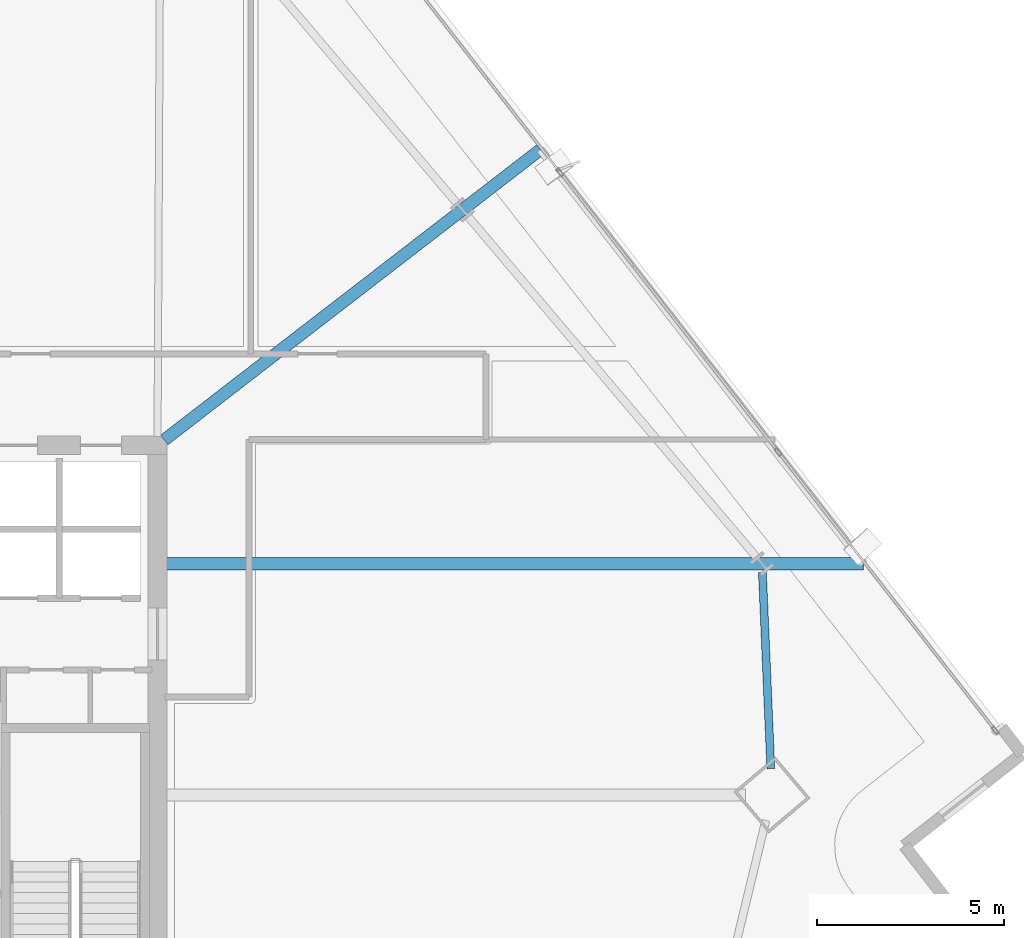
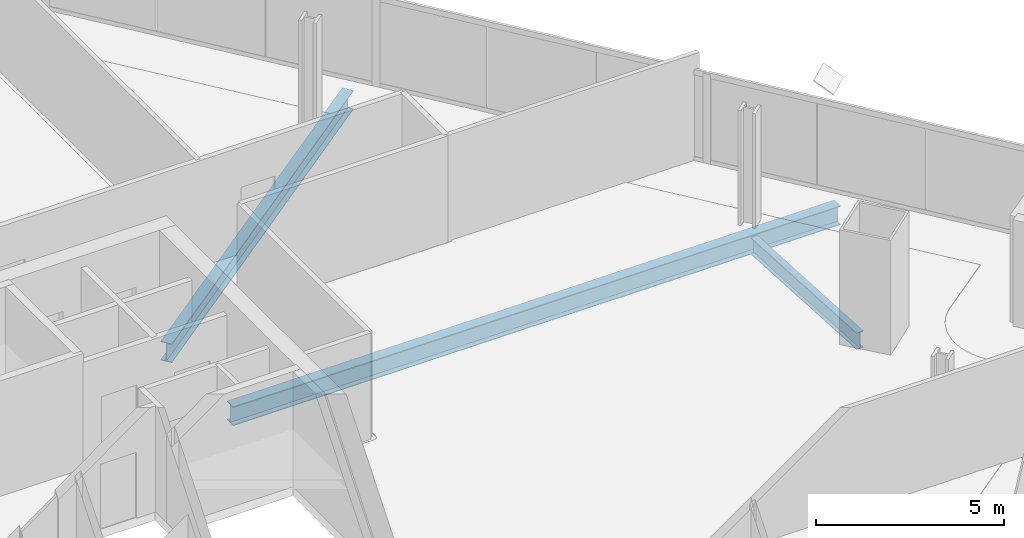
# One storey, part 17 of 32: 3 beams.
"""IFC4 building model written with IfcOpenShell, lengths in metres."""

import ifcopenshell
import ifcopenshell.guid

model = None  # the IFC model being written
_history = None  # IfcOwnerHistory: only IFC2X3 demands one
_inside = {}  # id of a spatial element -> (the spatial element, [elements in it])
_under = {}  # id of a project, library or spatial element -> (it, [spatial elements below it])
_declared = {}  # id of a project -> (the project, [libraries it declares])
_typed = {}  # id of a type object -> (the type object, [elements of that type])
_made_of = {}  # id of a material, layer set ... -> (it, [elements and type objects made of it])


def new_model(schema):
    """Start an empty IFC model of exactly this schema.

    Asked for "IFC4X3", IfcOpenShell would pick the latest addendum, in which some entities
    have other attributes; the version numbers below select the first issue.
    IFC2X3 requires an IfcOwnerHistory on every rooted entity: one is made here for all.
    """
    global model, _history
    if schema == "IFC4X3":
        model = ifcopenshell.file(schema_version=(4, 3, 0, 0))
    else:
        model = ifcopenshell.file(schema=schema)
    _inside.clear()
    _under.clear()
    _declared.clear()
    _typed.clear()
    _made_of.clear()
    _history = None
    if model.schema == "IFC2X3":
        org = make("IfcOrganization", Name="unknown")
        user = make(
            "IfcPersonAndOrganization",
            ThePerson=make("IfcPerson", FamilyName="unknown"),
            TheOrganization=org,
        )
        app = make(
            "IfcApplication",
            ApplicationDeveloper=org,
            Version="unknown",
            ApplicationFullName="unknown",
            ApplicationIdentifier="unknown",
        )
        _history = make(
            "IfcOwnerHistory",
            OwningUser=user,
            OwningApplication=app,
            ChangeAction="ADDED",
            CreationDate=0,
        )
    return model


def make(cls, **values):
    """One entity of the class cls with the attributes given. An attribute that is None is left unset."""
    return model.create_entity(
        cls, **{name: value for name, value in values.items() if value is not None}
    )


def rooted(cls, **values):
    """An entity with a GlobalId (a new one), such as an element, a storey or a relation."""
    return make(cls, GlobalId=ifcopenshell.guid.new(), OwnerHistory=_history, **values)


def si_unit(unit_type, name, prefix=None):
    """IfcSIUnit, for example si_unit("LENGTHUNIT", "METRE", prefix="MILLI")."""
    return make("IfcSIUnit", UnitType=unit_type, Prefix=prefix, Name=name)


def assignment(units):
    """IfcUnitAssignment: the units of a project."""
    return None if units is None else make("IfcUnitAssignment", Units=units)


def point(xyz):
    """IfcCartesianPoint."""
    return None if xyz is None else make("IfcCartesianPoint", Coordinates=xyz)


def direction(xyz):
    """IfcDirection."""
    return None if xyz is None else make("IfcDirection", DirectionRatios=xyz)


def frame(location, z_axis=None, x_axis=None):
    """IfcAxis2Placement3D, a coordinate frame: its origin and axes. An axis left out is left unset."""
    return make(
        "IfcAxis2Placement3D",
        Location=point(location),
        Axis=direction(z_axis),
        RefDirection=direction(x_axis),
    )


def frame_2d(location, x_axis=None):
    """IfcAxis2Placement2D, a coordinate frame in the plane: its origin and x axis."""
    return make(
        "IfcAxis2Placement2D", Location=point(location), RefDirection=direction(x_axis)
    )


def origin():
    """The frame at (0, 0, 0) with its axes left unset."""
    return frame((0.0, 0.0, 0.0))


def origin_2d():
    """The frame at (0, 0) in the plane with its x axis left unset."""
    return frame_2d((0.0, 0.0))


def place(relative_to, where):
    """IfcLocalPlacement: puts the frame where relative to a parent placement (None: the world)."""
    return make(
        "IfcLocalPlacement", PlacementRelTo=relative_to, RelativePlacement=where
    )


def context(
    kind, dimensions, precision=None, world=None, true_north=None, identifier=None
):
    """IfcGeometricRepresentationContext, for example the 3D "Model" context."""
    return make(
        "IfcGeometricRepresentationContext",
        ContextIdentifier=identifier,
        ContextType=kind,
        CoordinateSpaceDimension=dimensions,
        Precision=precision,
        WorldCoordinateSystem=world,
        TrueNorth=true_north,
    )


def subcontext(parent, identifier, kind, view, scale=None):
    """IfcGeometricRepresentationSubContext, for example "Body" below "Model"."""
    return make(
        "IfcGeometricRepresentationSubContext",
        ContextIdentifier=identifier,
        ContextType=kind,
        ParentContext=parent,
        TargetScale=scale,
        TargetView=view,
    )


def project(units=None, contexts=None):
    """IfcProject with its units and contexts."""
    return rooted(
        "IfcProject",
        Name="project",
        RepresentationContexts=contexts,
        UnitsInContext=assignment(units),
    )


def spatial(cls, under=None, at=None, **own):
    """A site, building, storey or space (cls), placed at a placement, below another one or the project."""
    s = rooted(cls, ObjectPlacement=at, **own)
    if under is not None:
        _under.setdefault(under.id(), (under, []))[1].append(s)
    return s


def profile(cls, at=None, kind="AREA", **sizes):
    """A parametric profile (cls). Its sizes go by their IFC names, for example OverallWidth=200.0."""
    return make(cls, ProfileType=kind, Position=at, **sizes)


def i_section(**sizes):
    """IfcIShapeProfileDef."""
    return profile("IfcIShapeProfileDef", **sizes)


def extrude(swept, where, along, depth):
    """IfcExtrudedAreaSolid: the profile swept, set in the frame where, extruded along a direction by depth."""
    return make(
        "IfcExtrudedAreaSolid",
        SweptArea=swept,
        Position=where,
        ExtrudedDirection=direction(along),
        Depth=depth,
    )


def shape(context_of_items, identifier, shape_type, items):
    """IfcShapeRepresentation: the items that make up one representation, for example the "Body"."""
    return make(
        "IfcShapeRepresentation",
        ContextOfItems=context_of_items,
        RepresentationIdentifier=identifier,
        RepresentationType=shape_type,
        Items=items,
    )


def material(Name=None, Category=None):
    """IfcMaterial."""
    return make("IfcMaterial", Name=Name, Category=Category)


def material_profile(
    of_material, cross_section, Name=None, Category=None, Priority=None
):
    """IfcMaterialProfile: a cross section and its material."""
    return make(
        "IfcMaterialProfile",
        Name=Name,
        Material=of_material,
        Profile=cross_section,
        Priority=Priority,
        Category=Category,
    )


def profile_set(profiles, Name=None, composite=None):
    """IfcMaterialProfileSet."""
    return make(
        "IfcMaterialProfileSet",
        Name=Name,
        MaterialProfiles=profiles,
        CompositeProfile=composite,
    )


def made_of(thing, what):
    """Note that an element or type object is made of a material, layer set ...; save() writes the relation."""
    if what is not None:
        _made_of.setdefault(what.id(), (what, []))[1].append(thing)
    return thing


def type_object(cls, material=None, **own):
    """A type object (cls), such as IfcWallType, which elements share."""
    return made_of(rooted(cls, **own), material)


def element(
    cls,
    number,
    at=None,
    inside=None,
    cuts=None,
    type_object=None,
    material=None,
    context=None,
    identifier="Body",
    shape_type=None,
    held_by="IfcProductDefinitionShape",
    body=None,
    shapes=None,
    **own,
):
    """One element of the class cls, such as IfcWall. Its Tag is "e" and its number.

    at: its placement. inside: the storey or other place that contains it. cuts: it is an
    opening in that element (IfcRelVoidsElement). A single representation is given by context,
    identifier, shape_type and body (its items); several are given by shapes. held_by: the class
    of the entity that holds the representations. save() writes the other relations.
    """
    e = rooted(cls, Tag="e%d" % number, ObjectPlacement=at, **own)
    if body is not None:
        shapes = [shape(context, identifier, shape_type, body)]
    if shapes is not None:
        e.Representation = make(held_by, Representations=shapes)
    if inside is not None:
        _inside.setdefault(inside.id(), (inside, []))[1].append(e)
    if cuts is not None:
        rooted(
            "IfcRelVoidsElement", RelatingBuildingElement=cuts, RelatedOpeningElement=e
        )
    if type_object is not None:
        _typed.setdefault(type_object.id(), (type_object, []))[1].append(e)
    return made_of(e, material)


def aggregate(whole, parts):
    """IfcRelAggregates: a whole, such as a stair, and the parts it consists of."""
    return rooted("IfcRelAggregates", RelatingObject=whole, RelatedObjects=parts)


def save(model, path):
    """Write the relations noted so far, then the file.

    IfcRelAggregates (storeys below a building ...), IfcRelContainedInSpatialStructure (elements
    in a storey), IfcRelDefinesByType, IfcRelAssociatesMaterial and IfcRelDeclares: one each for
    every whole, place, type object, material and project.
    """
    for whole, parts in _under.values():
        aggregate(whole, parts)
    for where, things in _inside.values():
        rooted(
            "IfcRelContainedInSpatialStructure",
            RelatedElements=things,
            RelatingStructure=where,
        )
    for kind, things in _typed.values():
        rooted("IfcRelDefinesByType", RelatedObjects=things, RelatingType=kind)
    for what, things in _made_of.values():
        rooted("IfcRelAssociatesMaterial", RelatedObjects=things, RelatingMaterial=what)
    for by, libraries in _declared.values():
        rooted("IfcRelDeclares", RelatingContext=by, RelatedDefinitions=libraries)
    model.write(path)


model = new_model("IFC4")

# Units and contexts
model_context = context("Model", 3, precision=1e-05, world=origin(), true_north=direction((0.0, 1.0)))
body_context = subcontext(model_context, "Body", "Model", "MODEL_VIEW")
ifc_project = project(units=[si_unit("LENGTHUNIT", "METRE"), si_unit("AREAUNIT", "SQUARE_METRE"), si_unit("VOLUMEUNIT", "CUBIC_METRE"), si_unit("PLANEANGLEUNIT", "RADIAN"), si_unit("MASSUNIT", "GRAM", prefix="KILO")], contexts=[model_context])

# Site, building, storey
site_placement = place(None, origin())
site = spatial("IfcSite", under=ifc_project, at=site_placement, CompositionType="ELEMENT")
building_placement = place(site_placement, origin())
building = spatial("IfcBuilding", under=site, at=building_placement, Name="Haldenkirk Collegiate Tower", CompositionType="ELEMENT")
storey_placement = place(building_placement, frame((0.0, 0.0, 155.699951171875)))
storey = spatial("IfcBuildingStorey", under=building, at=storey_placement, Name="L38", CompositionType="ELEMENT", Elevation=155.699951171875)

# Beams
ifc_material = material(Name="Steel ASTM A992 Grade 50", Category="steel")
ifc_material_profile_1 = material_profile(ifc_material, i_section(OverallWidth=0.324951171875, OverallDepth=0.615966796875, WebThickness=0.013916015625, FlangeThickness=0.021484375, at=origin_2d()), Name="W24X117")
ifc_profile_set_1 = profile_set([ifc_material_profile_1], Name="Steel ASTM A992 Grade 50")
beam_type_1 = type_object("IfcBeamType", Name="BM-GIRDER-W24X117", PredefinedType="BEAM", material=ifc_profile_set_1)
beam_1_placement = place(storey_placement, frame((63.916259765625, 30.82421875, -0.597900390625), z_axis=(-1.0, 0.0, 0.0), x_axis=(0.0, -1.0, 0.0)))
element("IfcBeam", 1, at=beam_1_placement, inside=storey, type_object=beam_type_1, Name="L38 primary floor girder 08", PredefinedType="BEAM", context=body_context, shape_type="SweptSolid", body=[
    extrude(i_section(OverallWidth=0.324951171875, OverallDepth=0.615966796875, WebThickness=0.013916015625, FlangeThickness=0.021484375, at=origin_2d()), origin(), (0.0, 0.0, 1.0), 18.686279296875),
])
beam_2_placement = place(storey_placement, frame((55.261962890625, 41.921142578125, -0.597900390625), z_axis=(-0.791596503631, -0.611044168157, 0.0), x_axis=(0.611044168157, -0.791596503631, 0.0)))
element("IfcBeam", 2, at=beam_2_placement, inside=storey, type_object=beam_type_1, Name="L38 primary floor girder 09", PredefinedType="BEAM", context=body_context, shape_type="SweptSolid", body=[
    extrude(i_section(OverallWidth=0.324951171875, OverallDepth=0.615966796875, WebThickness=0.013916015625, FlangeThickness=0.021484375, at=origin_2d()), origin(), (0.0, 0.0, 1.0), 12.733642578125),
])
ifc_material_profile_2 = material_profile(ifc_material, i_section(OverallWidth=0.2119140625, OverallDepth=0.5439453125, WebThickness=0.01318359375, FlangeThickness=0.021240234375, at=origin_2d()), Name="W21X83")
ifc_profile_set_2 = profile_set([ifc_material_profile_2], Name="Steel ASTM A992 Grade 50")
beam_type_2 = type_object("IfcBeamType", Name="BM-SPANDREL-W21X83", PredefinedType="SPANDREL", material=ifc_profile_set_2)
beam_3_placement = place(storey_placement, frame((61.434814453125, 25.33349609375, -0.56201171875), z_axis=(-0.042833703015, 0.999082215779, 0.0), x_axis=(-0.999082215779, -0.042833703015, 0.0)))
element("IfcBeam", 3, at=beam_3_placement, inside=storey, type_object=beam_type_2, Name="L38 perimeter spandrel beam 05", PredefinedType="SPANDREL", context=body_context, shape_type="SweptSolid", body=[
    extrude(i_section(OverallWidth=0.2119140625, OverallDepth=0.5439453125, WebThickness=0.01318359375, FlangeThickness=0.021240234375, at=origin_2d()), origin(), (0.0, 0.0, 1.0), 5.2666015625),
])

save(model, "model.ifc")
